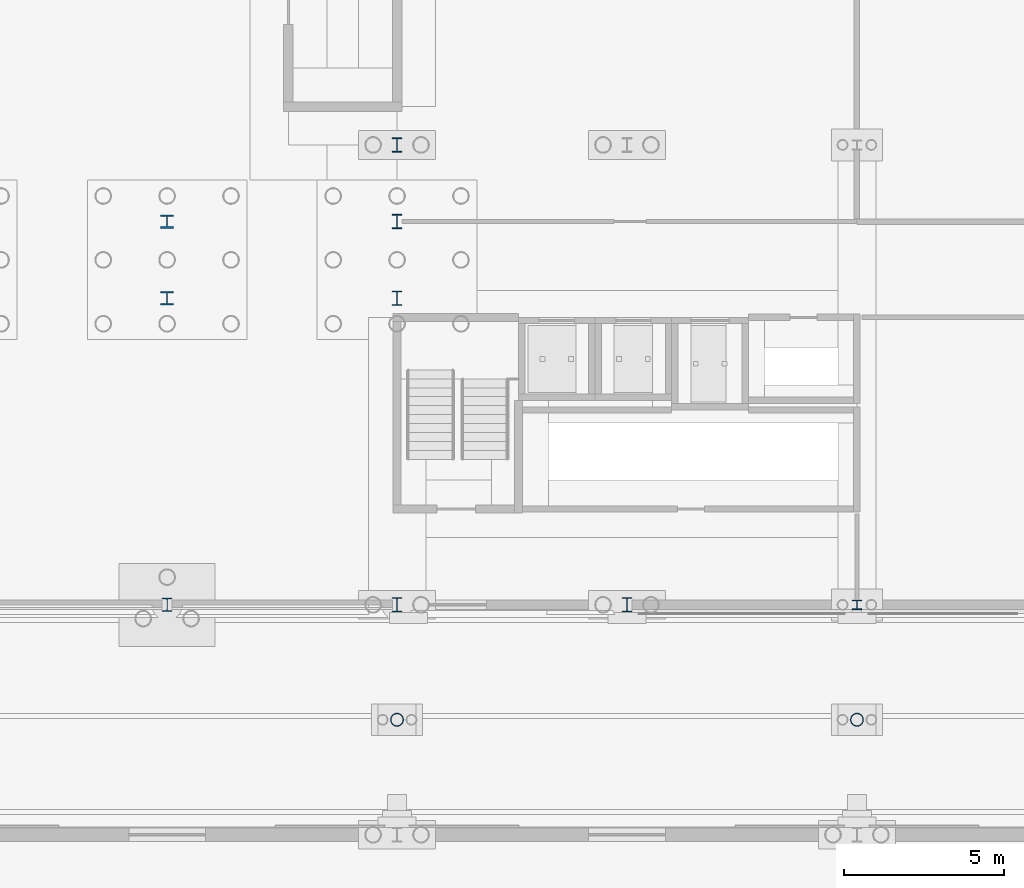
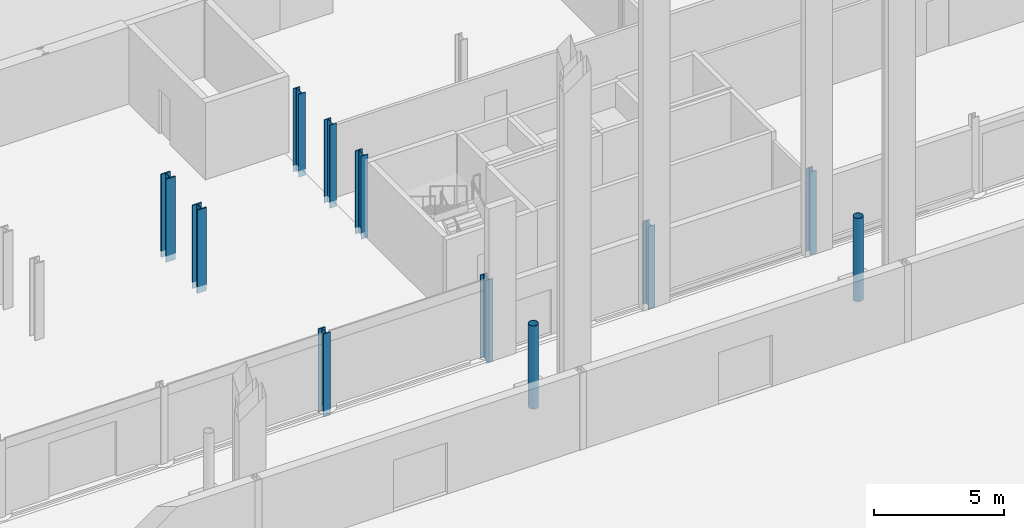
# One storey, part 63 of 148: 11 columns.
"""IFC4 building model written with IfcOpenShell, lengths in metres."""

from ifc_helpers import new_model, si_unit, direction, frame, origin, origin_2d, place, context, subcontext, project, spatial, hollow_circle, i_section, extrude, material, material_profile, profile_set, type_object, element, save


model = new_model("IFC4")

# Units and contexts
model_context = context("Model", 3, precision=1e-05, world=origin(), true_north=direction((0.0, 1.0)))
body_context = subcontext(model_context, "Body", "Model", "MODEL_VIEW")
ifc_project = project(units=[si_unit("LENGTHUNIT", "METRE"), si_unit("AREAUNIT", "SQUARE_METRE"), si_unit("VOLUMEUNIT", "CUBIC_METRE"), si_unit("PLANEANGLEUNIT", "RADIAN"), si_unit("MASSUNIT", "GRAM", prefix="KILO")], contexts=[model_context])

# Site, building, storey
site_placement = place(None, origin())
site = spatial("IfcSite", under=ifc_project, at=site_placement, CompositionType="ELEMENT")
building_placement = place(site_placement, origin())
building = spatial("IfcBuilding", under=site, at=building_placement, Name="Kupolbacken Congress Centre", CompositionType="ELEMENT")
storey_placement = place(building_placement, origin())
storey = spatial("IfcBuildingStorey", under=building, at=storey_placement, Name="L00", CompositionType="ELEMENT", Elevation=0.0)

# Columns
ifc_material_1 = material(Name="Steel S355", Category="steel")
ifc_material_profile_1 = material_profile(ifc_material_1, i_section(OverallWidth=0.408935546875, OverallDepth=0.425048828125, WebThickness=0.03271484375, FlangeThickness=0.052490234375, FilletRadius=0.014892578125, at=origin_2d()), Name="HD 400 x 421")
ifc_profile_set_1 = profile_set([ifc_material_profile_1], Name="Steel S355")
column_type_1 = type_object("IfcColumnType", Name="C01 column HD 400 x 421", PredefinedType="COLUMN", material=ifc_profile_set_1)
for number, where, z_axis, x_axis, name in (
    (1, (129.60009765625, 132.0, -0.300048828125), (0.0, 0.0, 1.0), (1.0, 0.0, 0.0), "S/col/C-T-19U+2400/L00"),
    (2, (129.60009765625, 134.39990234375, -0.300048828125), (0.0, 0.0, 1.0), (1.0, 0.0, 0.0), "S/col/C-T-19U+4800/L00"),
):
    element("IfcColumn", number, at=place(storey_placement, frame(where, z_axis=z_axis, x_axis=x_axis)), inside=storey, type_object=column_type_1, Name=name, PredefinedType="COLUMN", context=body_context, shape_type="SweptSolid", body=[
        extrude(i_section(OverallWidth=0.408935546875, OverallDepth=0.425048828125, WebThickness=0.03271484375, FlangeThickness=0.052490234375, FilletRadius=0.014892578125, at=origin_2d()), origin(), (0.0, 0.0, 1.0), 3.900146484375),
    ])
ifc_material_2 = material(Name="Steel S355", Category="steel")
ifc_material_profile_2 = material_profile(ifc_material_2, i_section(OverallWidth=0.306884765625, OverallDepth=0.431884765625, WebThickness=0.02099609375, FlangeThickness=0.0400390625, FilletRadius=0.027099609375, at=origin_2d()), Name="HEM 400")
ifc_profile_set_2 = profile_set([ifc_material_profile_2], Name="Steel S355")
column_type_2 = type_object("IfcColumnType", Name="C02 column HEM 400", PredefinedType="COLUMN", material=ifc_profile_set_2)
column_1_placement = place(storey_placement, frame((129.60009765625, 122.39990234375, -0.300048828125), z_axis=(0.0, 0.0, 1.0), x_axis=(1.0, 0.0, 0.0)))
element("IfcColumn", 3, at=column_1_placement, inside=storey, type_object=column_type_2, Name="S/col/C-T-19T/L00", PredefinedType="COLUMN", context=body_context, shape_type="SweptSolid", body=[
    extrude(i_section(OverallWidth=0.306884765625, OverallDepth=0.431884765625, WebThickness=0.02099609375, FlangeThickness=0.0400390625, FilletRadius=0.027099609375, at=origin_2d()), origin(), (0.0, 0.0, 1.0), 3.900146484375),
])
ifc_material_3 = material(Name="Steel S355", Category="steel")
ifc_material_profile_3 = material_profile(ifc_material_3, i_section(OverallWidth=0.300048828125, OverallDepth=0.449951171875, WebThickness=0.013916015625, FlangeThickness=0.02587890625, FilletRadius=0.027099609375, at=origin_2d()), Name="HEB 450")
ifc_profile_set_3 = profile_set([ifc_material_profile_3], Name="Steel S355")
column_type_3 = type_object("IfcColumnType", Name="C03 column HEB 450", PredefinedType="COLUMN", material=ifc_profile_set_3)
for number, where, z_axis, x_axis, name in (
    (4, (136.800048828125, 136.800048828125, -0.300048828125), (0.0, 0.0, 1.0), (1.0, 0.0, 0.0), "S/col/C-BF-20V/L00"),
    (5, (144.0, 122.39990234375, -0.300048828125), (0.0, 0.0, 1.0), (1.0, 0.0, 0.0), "S/col/C-BF-21T/L00"),
    (6, (136.800048828125, 122.39990234375, -0.300048828125), (0.0, 0.0, 1.0), (1.0, 0.0, 0.0), "S/col/C-T-20T/L00"),
    (7, (136.800048828125, 132.0, -0.300048828125), (0.0, 0.0, 1.0), (1.0, 0.0, 0.0), "S/col/C-T-20U+2400/L00"),
    (8, (136.800048828125, 134.39990234375, -0.300048828125), (0.0, 0.0, 1.0), (1.0, 0.0, 0.0), "S/col/C-T-20U+4800/L00"),
):
    element("IfcColumn", number, at=place(storey_placement, frame(where, z_axis=z_axis, x_axis=x_axis)), inside=storey, type_object=column_type_3, Name=name, PredefinedType="COLUMN", context=body_context, shape_type="SweptSolid", body=[
        extrude(i_section(OverallWidth=0.300048828125, OverallDepth=0.449951171875, WebThickness=0.013916015625, FlangeThickness=0.02587890625, FilletRadius=0.027099609375, at=origin_2d()), origin(), (0.0, 0.0, 1.0), 3.900146484375),
    ])
ifc_material_4 = material(Name="Steel S355", Category="steel")
ifc_material_profile_4 = material_profile(ifc_material_4, i_section(OverallWidth=0.300048828125, OverallDepth=0.300048828125, WebThickness=0.010986328125, FlangeThickness=0.01904296875, FilletRadius=0.027099609375, at=origin_2d()), Name="HEB 300")
ifc_profile_set_4 = profile_set([ifc_material_profile_4], Name="Steel S355")
column_type_4 = type_object("IfcColumnType", Name="C06 column HEB 300", PredefinedType="COLUMN", material=ifc_profile_set_4)
column_2_placement = place(storey_placement, frame((151.199951171875, 122.39990234375, -0.300048828125), z_axis=(0.0, 0.0, 1.0), x_axis=(1.0, 0.0, 0.0)))
element("IfcColumn", 9, at=column_2_placement, inside=storey, type_object=column_type_4, Name="S/col/C-B-B1S/L00", PredefinedType="COLUMN", context=body_context, shape_type="SweptSolid", body=[
    extrude(i_section(OverallWidth=0.300048828125, OverallDepth=0.300048828125, WebThickness=0.010986328125, FlangeThickness=0.01904296875, FilletRadius=0.027099609375, at=origin_2d()), origin(), (0.0, 0.0, 1.0), 3.900146484375),
])
ifc_material_5 = material(Name="Steel S355", Category="steel")
ifc_material_profile_5 = material_profile(ifc_material_5, hollow_circle(Radius=0.203125, WallThickness=0.01611328125, at=origin_2d()), Name="CHS 406.4 x 16")
ifc_profile_set_5 = profile_set([ifc_material_profile_5], Name="Steel S355")
column_type_5 = type_object("IfcColumnType", Name="C15 roof mast CHS 406.4 x 16", PredefinedType="COLUMN", material=ifc_profile_set_5)
for number, where, z_axis, x_axis, name in (
    (10, (136.800048828125, 118.800048828125, -0.300048828125), (0.0, 0.0, 1.0), (1.0, 0.0, 0.0), "Roof mast M4N"),
    (11, (151.199951171875, 118.800048828125, -0.300048828125), (0.0, 0.0, 1.0), (1.0, 0.0, 0.0), "Roof mast M5N"),
):
    element("IfcColumn", number, at=place(storey_placement, frame(where, z_axis=z_axis, x_axis=x_axis)), inside=storey, type_object=column_type_5, Name=name, PredefinedType="COLUMN", context=body_context, shape_type="SweptSolid", body=[
        extrude(hollow_circle(Radius=0.203125, WallThickness=0.01611328125, at=origin_2d()), origin(), (0.0, 0.0, 1.0), 3.900146484375),
    ])

save(model, "model.ifc")
